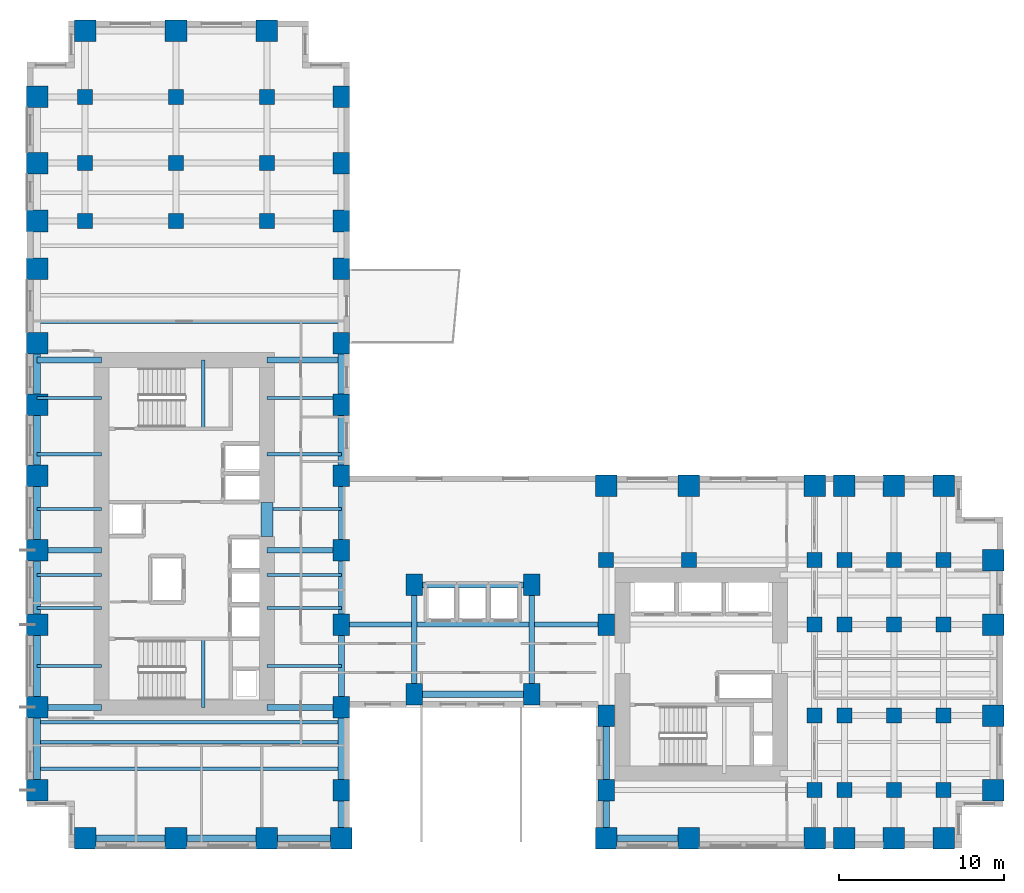
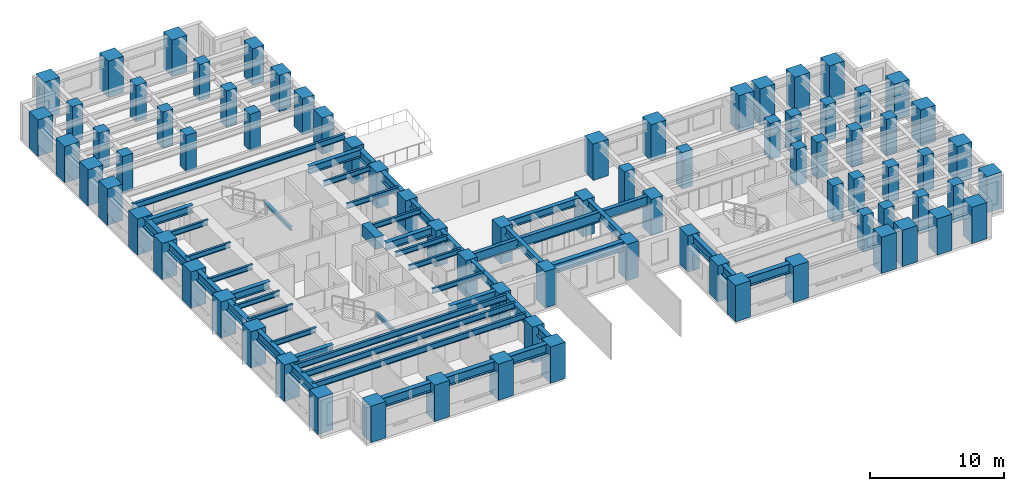
# One storey, part 1 of 11: 79 columns, 49 beams.
"""IFC4 building model written with IfcOpenShell, lengths in metres."""

from ifc_helpers import new_model, si_unit, direction, frame, origin, origin_2d, place, context, subcontext, project, spatial, rectangle, i_section, extrude, source, transform, mapped, material, material_profile, profile_set, type_object, element, save


model = new_model("IFC4")

# Units and contexts
model_context = context("Model", 3, precision=1e-05, world=origin(), true_north=direction((0.0, 1.0)))
body_context = subcontext(model_context, "Body", "Model", "MODEL_VIEW")
ifc_project = project(units=[si_unit("LENGTHUNIT", "METRE"), si_unit("AREAUNIT", "SQUARE_METRE"), si_unit("VOLUMEUNIT", "CUBIC_METRE"), si_unit("PLANEANGLEUNIT", "RADIAN"), si_unit("MASSUNIT", "GRAM", prefix="KILO")], contexts=[model_context])

# Site, building, storey
site_placement = place(None, origin())
site = spatial("IfcSite", under=ifc_project, at=site_placement, CompositionType="ELEMENT")
building_placement = place(site_placement, origin())
building = spatial("IfcBuilding", under=site, at=building_placement, Name="Kharzan Plaza Tower", CompositionType="ELEMENT")
storey_placement = place(building_placement, frame((0.0, 0.0, 69.300048828125)))
storey = spatial("IfcBuildingStorey", under=building, at=storey_placement, Name="L18", CompositionType="ELEMENT", Elevation=69.300048828125)

# Columns
ifc_material_1 = material(Name="Concrete C50/60", Category="concrete")
ifc_material_profile_1 = material_profile(ifc_material_1, rectangle(XDim=0.89990234375, YDim=0.89990234375, at=origin_2d()), Name="RC-IC900x900")
ifc_profile_set_1 = profile_set([ifc_material_profile_1], Name="Concrete C50/60")
column_type_1 = type_object("IfcColumnType", Name="COL-IC900", PredefinedType="COLUMN", material=ifc_profile_set_1)
shared_shape_1 = source(origin(), body_context, "Body", "SweptSolid", [
    extrude(rectangle(XDim=0.89990234375, YDim=0.89990234375, at=origin_2d()), origin(), (0.0, 0.0, 1.0), 3.320068359375),
])
for number, where, z_axis, x_axis, name in (
    (1, (47.60009765625, 13.5, 0.0), (0.0, 0.0, 1.0), (1.0, 0.0, 0.0), "L18 Structural Column TCBI-135"),
    (2, (47.60009765625, 3.5, 0.0), (0.0, 0.0, 1.0), (1.0, 0.0, 0.0), "L18 Structural Column TCBI-35"),
    (3, (47.60009765625, 8.0, 0.0), (0.0, 0.0, 1.0), (1.0, 0.0, 0.0), "L18 Structural Column TCBI-80"),
    (4, (35.0, 17.39990234375, 0.0), (0.0, 0.0, 1.0), (1.0, 0.0, 0.0), "L18 Structural Column TCBN-350-174"),
    (5, (40.0, 17.39990234375, 0.0), (0.0, 0.0, 1.0), (1.0, 0.0, 0.0), "L18 Structural Column TCBN-400-174"),
    (6, (47.60009765625, 17.39990234375, 0.0), (0.0, 0.0, 1.0), (1.0, 0.0, 0.0), "L18 Structural Column TCBN-476-174"),
    (7, (49.39990234375, 13.5, 0.0), (0.0, 0.0, 1.0), (1.0, 0.0, 0.0), "L18 Structural Column TCE-494-135"),
    (8, (49.39990234375, 17.39990234375, 0.0), (0.0, 0.0, 1.0), (1.0, 0.0, 0.0), "L18 Structural Column TCE-494-174"),
    (9, (49.39990234375, 3.5, 0.0), (0.0, 0.0, 1.0), (1.0, 0.0, 0.0), "L18 Structural Column TCE-494-35"),
    (10, (49.39990234375, 8.0, 0.0), (0.0, 0.0, 1.0), (1.0, 0.0, 0.0), "L18 Structural Column TCE-494-80"),
    (11, (52.39990234375, 13.5, 0.0), (0.0, 0.0, 1.0), (1.0, 0.0, 0.0), "L18 Structural Column TCE-524-135"),
    (12, (52.39990234375, 17.39990234375, 0.0), (0.0, 0.0, 1.0), (1.0, 0.0, 0.0), "L18 Structural Column TCE-524-174"),
    (13, (52.39990234375, 3.5, 0.0), (0.0, 0.0, 1.0), (1.0, 0.0, 0.0), "L18 Structural Column TCE-524-35"),
    (14, (52.39990234375, 8.0, 0.0), (0.0, 0.0, 1.0), (1.0, 0.0, 0.0), "L18 Structural Column TCE-524-80"),
    (15, (55.39990234375, 13.5, 0.0), (0.0, 0.0, 1.0), (1.0, 0.0, 0.0), "L18 Structural Column TCE-554-135"),
    (16, (55.39990234375, 17.39990234375, 0.0), (0.0, 0.0, 1.0), (1.0, 0.0, 0.0), "L18 Structural Column TCE-554-174"),
    (17, (55.39990234375, 3.5, 0.0), (0.0, 0.0, 1.0), (1.0, 0.0, 0.0), "L18 Structural Column TCE-554-35"),
    (18, (55.39990234375, 8.0, 0.0), (0.0, 0.0, 1.0), (1.0, 0.0, 0.0), "L18 Structural Column TCE-554-80"),
    (19, (14.5, 37.89990234375, 0.0), (0.0, 0.0, 1.0), (1.0, 0.0, 0.0), "L18 Structural Column TCN-145-379"),
    (20, (14.5, 41.39990234375, 0.0), (0.0, 0.0, 1.0), (1.0, 0.0, 0.0), "L18 Structural Column TCN-145-414"),
    (21, (14.5, 45.39990234375, 0.0), (0.0, 0.0, 1.0), (1.0, 0.0, 0.0), "L18 Structural Column TCN-145-454"),
    (22, (3.5, 37.89990234375, 0.0), (0.0, 0.0, 1.0), (1.0, 0.0, 0.0), "L18 Structural Column TCN-35-379"),
    (23, (3.5, 41.39990234375, 0.0), (0.0, 0.0, 1.0), (1.0, 0.0, 0.0), "L18 Structural Column TCN-35-414"),
    (24, (3.5, 45.39990234375, 0.0), (0.0, 0.0, 1.0), (1.0, 0.0, 0.0), "L18 Structural Column TCN-35-454"),
    (25, (9.0, 37.89990234375, 0.0), (0.0, 0.0, 1.0), (1.0, 0.0, 0.0), "L18 Structural Column TCN-90-379"),
    (26, (9.0, 41.39990234375, 0.0), (0.0, 0.0, 1.0), (1.0, 0.0, 0.0), "L18 Structural Column TCN-90-414"),
    (27, (9.0, 45.39990234375, 0.0), (0.0, 0.0, 1.0), (1.0, 0.0, 0.0), "L18 Structural Column TCN-90-454"),
):
    element("IfcColumn", number, at=place(storey_placement, frame(where, z_axis=z_axis, x_axis=x_axis)), inside=storey, type_object=column_type_1, Name=name, PredefinedType="COLUMN", context=body_context, shape_type="MappedRepresentation", body=[
        mapped(shared_shape_1, transform((0.0, 0.0, 0.0), x_axis=(1.0, 0.0, 0.0), y_axis=(0.0, 1.0, 0.0), z_axis=(0.0, 0.0, 1.0))),
    ])
ifc_material_2 = material(Name="Concrete C60/75", Category="concrete")
ifc_material_profile_2 = material_profile(ifc_material_2, rectangle(XDim=1.0, YDim=1.300048828125, at=origin_2d()), Name="RC-SC1300x1000")
ifc_profile_set_2 = profile_set([ifc_material_profile_2], Name="Concrete C60/75")
column_type_2 = type_object("IfcColumnType", Name="COL-SC1300", PredefinedType="COLUMN", material=ifc_profile_set_2)
shared_shape_2 = source(origin(), body_context, "Body", "SweptSolid", [
    extrude(rectangle(XDim=1.0, YDim=1.300048828125, at=origin_2d()), origin(), (0.0, 0.0, 1.0), 3.320068359375),
])
for number, where, z_axis, x_axis, name in (
    (28, (19.0, 13.5, 0.0), (0.0, 0.0, 1.0), (1.0, 0.0, 0.0), "L18 Structural Column TCA-135"),
    (29, (19.0, 18.0, 0.0), (0.0, 0.0, 1.0), (1.0, 0.0, 0.0), "L18 Structural Column TCA-180"),
    (30, (19.0, 22.5, 0.0), (0.0, 0.0, 1.0), (1.0, 0.0, 0.0), "L18 Structural Column TCA-225"),
    (31, (19.0, 26.800048828125, 0.0), (0.0, 0.0, 1.0), (1.0, 0.0, 0.0), "L18 Structural Column TCA-268"),
    (32, (19.0, 30.5, 0.0), (0.0, 0.0, 1.0), (1.0, 0.0, 0.0), "L18 Structural Column TCA-305"),
    (33, (19.0, 3.5, 0.0), (0.0, 0.0, 1.0), (1.0, 0.0, 0.0), "L18 Structural Column TCA-35"),
    (34, (19.0, 35.0, 0.0), (0.0, 0.0, 1.0), (1.0, 0.0, 0.0), "L18 Structural Column TCA-350"),
    (35, (19.0, 37.89990234375, 0.0), (0.0, 0.0, 1.0), (1.0, 0.0, 0.0), "L18 Structural Column TCA-379"),
    (36, (19.0, 41.39990234375, 0.0), (0.0, 0.0, 1.0), (1.0, 0.0, 0.0), "L18 Structural Column TCA-414"),
    (37, (19.0, 45.39990234375, 0.0), (0.0, 0.0, 1.0), (1.0, 0.0, 0.0), "L18 Structural Column TCA-454"),
    (38, (19.0, 8.5, 0.0), (0.0, 0.0, 1.0), (1.0, 0.0, 0.0), "L18 Structural Column TCA-85"),
    (39, (35.0, 13.5, 0.0), (0.0, 0.0, 1.0), (1.0, 0.0, 0.0), "L18 Structural Column TCBS-135"),
    (40, (35.0, 3.5, 0.0), (0.0, 0.0, 1.0), (1.0, 0.0, 0.0), "L18 Structural Column TCBS-35"),
    (41, (35.0, 8.0, 0.0), (0.0, 0.0, 1.0), (1.0, 0.0, 0.0), "L18 Structural Column TCBS-80"),
    (42, (23.39990234375, 15.89990234375, 0.0), (0.0, 0.0, 1.0), (1.0, 0.0, 0.0), "L18 Structural Column TCSP-234-159"),
    (43, (23.39990234375, 9.300048828125, 0.0), (0.0, 0.0, 1.0), (1.0, 0.0, 0.0), "L18 Structural Column TCSP-234-93"),
    (44, (30.5, 15.89990234375, 0.0), (0.0, 0.0, 1.0), (1.0, 0.0, 0.0), "L18 Structural Column TCSP-305-159"),
    (45, (30.5, 9.300048828125, 0.0), (0.0, 0.0, 1.0), (1.0, 0.0, 0.0), "L18 Structural Column TCSP-305-93"),
):
    element("IfcColumn", number, at=place(storey_placement, frame(where, z_axis=z_axis, x_axis=x_axis)), inside=storey, type_object=column_type_2, Name=name, PredefinedType="COLUMN", context=body_context, shape_type="MappedRepresentation", body=[
        mapped(shared_shape_2, transform((0.0, 0.0, 0.0), x_axis=(1.0, 0.0, 0.0), y_axis=(0.0, 1.0, 0.0), z_axis=(0.0, 0.0, 1.0))),
    ])
ifc_material_profile_3 = material_profile(ifc_material_2, rectangle(XDim=1.300048828125, YDim=1.300048828125, at=origin_2d()), Name="RC-TC1300x1300")
ifc_profile_set_3 = profile_set([ifc_material_profile_3], Name="Concrete C60/75")
column_type_3 = type_object("IfcColumnType", Name="COL-TC1300", PredefinedType="COLUMN", material=ifc_profile_set_3)
shared_shape_3 = source(origin(), body_context, "Body", "SweptSolid", [
    extrude(rectangle(XDim=1.300048828125, YDim=1.300048828125, at=origin_2d()), origin(), (0.0, 0.0, 1.0), 3.320068359375),
])
for number, where, z_axis, x_axis, name in (
    (46, (35.0, 21.89990234375, 0.0), (0.0, 0.0, 1.0), (1.0, 0.0, 0.0), "L18 Structural Column TCBN-350-219"),
    (47, (40.0, 21.89990234375, 0.0), (0.0, 0.0, 1.0), (1.0, 0.0, 0.0), "L18 Structural Column TCBN-400-219"),
    (48, (47.60009765625, 21.89990234375, 0.0), (0.0, 0.0, 1.0), (1.0, 0.0, 0.0), "L18 Structural Column TCBN-476-219"),
    (49, (49.39990234375, 21.89990234375, 0.0), (0.0, 0.0, 1.0), (1.0, 0.0, 0.0), "L18 Structural Column TCBN-494-219"),
    (50, (52.39990234375, 21.89990234375, 0.0), (0.0, 0.0, 1.0), (1.0, 0.0, 0.0), "L18 Structural Column TCBN-524-219"),
    (51, (55.39990234375, 21.89990234375, 0.0), (0.0, 0.0, 1.0), (1.0, 0.0, 0.0), "L18 Structural Column TCBN-554-219"),
    (52, (58.39990234375, 13.5, 0.0), (0.0, 0.0, 1.0), (1.0, 0.0, 0.0), "L18 Structural Column TCE-584-135"),
    (53, (58.39990234375, 17.39990234375, 0.0), (0.0, 0.0, 1.0), (1.0, 0.0, 0.0), "L18 Structural Column TCE-584-174"),
    (54, (58.39990234375, 3.5, 0.0), (0.0, 0.0, 1.0), (1.0, 0.0, 0.0), "L18 Structural Column TCE-584-35"),
    (55, (58.39990234375, 8.0, 0.0), (0.0, 0.0, 1.0), (1.0, 0.0, 0.0), "L18 Structural Column TCE-584-80"),
    (56, (14.5, 49.39990234375, 0.0), (0.0, 0.0, 1.0), (1.0, 0.0, 0.0), "L18 Structural Column TCN-145-494"),
    (57, (3.5, 49.39990234375, 0.0), (0.0, 0.0, 1.0), (1.0, 0.0, 0.0), "L18 Structural Column TCN-35-494"),
    (58, (9.0, 49.39990234375, 0.0), (0.0, 0.0, 1.0), (1.0, 0.0, 0.0), "L18 Structural Column TCN-90-494"),
    (59, (14.5, 0.60009765625, 0.0), (0.0, 0.0, 1.0), (1.0, 0.0, 0.0), "L18 Structural Column TCS-145"),
    (60, (19.0, 0.60009765625, 0.0), (0.0, 0.0, 1.0), (1.0, 0.0, 0.0), "L18 Structural Column TCS-190"),
    (61, (3.5, 0.60009765625, 0.0), (0.0, 0.0, 1.0), (1.0, 0.0, 0.0), "L18 Structural Column TCS-35"),
    (62, (35.0, 0.60009765625, 0.0), (0.0, 0.0, 1.0), (1.0, 0.0, 0.0), "L18 Structural Column TCS-350"),
    (63, (40.0, 0.60009765625, 0.0), (0.0, 0.0, 1.0), (1.0, 0.0, 0.0), "L18 Structural Column TCS-400"),
    (64, (47.60009765625, 0.60009765625, 0.0), (0.0, 0.0, 1.0), (1.0, 0.0, 0.0), "L18 Structural Column TCS-476"),
    (65, (49.39990234375, 0.60009765625, 0.0), (0.0, 0.0, 1.0), (1.0, 0.0, 0.0), "L18 Structural Column TCS-494"),
    (66, (52.39990234375, 0.60009765625, 0.0), (0.0, 0.0, 1.0), (1.0, 0.0, 0.0), "L18 Structural Column TCS-524"),
    (67, (55.39990234375, 0.60009765625, 0.0), (0.0, 0.0, 1.0), (1.0, 0.0, 0.0), "L18 Structural Column TCS-554"),
    (68, (9.0, 0.60009765625, 0.0), (0.0, 0.0, 1.0), (1.0, 0.0, 0.0), "L18 Structural Column TCS-90"),
    (69, (0.60009765625, 13.5, 0.0), (0.0, 0.0, 1.0), (1.0, 0.0, 0.0), "L18 Structural Column TCW-135"),
    (70, (0.60009765625, 18.0, 0.0), (0.0, 0.0, 1.0), (1.0, 0.0, 0.0), "L18 Structural Column TCW-180"),
    (71, (0.60009765625, 22.5, 0.0), (0.0, 0.0, 1.0), (1.0, 0.0, 0.0), "L18 Structural Column TCW-225"),
    (72, (0.60009765625, 26.800048828125, 0.0), (0.0, 0.0, 1.0), (1.0, 0.0, 0.0), "L18 Structural Column TCW-268"),
    (73, (0.60009765625, 30.5, 0.0), (0.0, 0.0, 1.0), (1.0, 0.0, 0.0), "L18 Structural Column TCW-305"),
    (74, (0.60009765625, 3.5, 0.0), (0.0, 0.0, 1.0), (1.0, 0.0, 0.0), "L18 Structural Column TCW-35"),
    (75, (0.60009765625, 35.0, 0.0), (0.0, 0.0, 1.0), (1.0, 0.0, 0.0), "L18 Structural Column TCW-350"),
    (76, (0.60009765625, 37.89990234375, 0.0), (0.0, 0.0, 1.0), (1.0, 0.0, 0.0), "L18 Structural Column TCW-379"),
    (77, (0.60009765625, 41.39990234375, 0.0), (0.0, 0.0, 1.0), (1.0, 0.0, 0.0), "L18 Structural Column TCW-414"),
    (78, (0.60009765625, 45.39990234375, 0.0), (0.0, 0.0, 1.0), (1.0, 0.0, 0.0), "L18 Structural Column TCW-454"),
    (79, (0.60009765625, 8.5, 0.0), (0.0, 0.0, 1.0), (1.0, 0.0, 0.0), "L18 Structural Column TCW-85"),
):
    element("IfcColumn", number, at=place(storey_placement, frame(where, z_axis=z_axis, x_axis=x_axis)), inside=storey, type_object=column_type_3, Name=name, PredefinedType="COLUMN", context=body_context, shape_type="MappedRepresentation", body=[
        mapped(shared_shape_3, transform((0.0, 0.0, 0.0), x_axis=(1.0, 0.0, 0.0), y_axis=(0.0, 1.0, 0.0), z_axis=(0.0, 0.0, 1.0))),
    ])

# Beams
ifc_material_profile_4 = material_profile(ifc_material_2, rectangle(XDim=0.699951171875, YDim=1.10009765625, at=origin_2d()), Name="RC-CB1100x700")
ifc_profile_set_4 = profile_set([ifc_material_profile_4], Name="Concrete C60/75")
beam_type_1 = type_object("IfcBeamType", Name="BM-RCCB1100", PredefinedType="LINTEL", material=ifc_profile_set_4)
shared_shape_4 = source(origin(), body_context, "Body", "SweptSolid", [
    extrude(rectangle(XDim=0.699951171875, YDim=1.10009765625, at=origin_2d()), origin(), (0.0, 0.0, 1.0), 2.059814453125),
])
beam_1_placement = place(storey_placement, frame((14.5, 18.820068359375, 2.77001953125), z_axis=(0.0, 1.0, 0.0), x_axis=(-1.0, 0.0, 0.0)))
element("IfcBeam", 80, at=beam_1_placement, inside=storey, type_object=beam_type_1, Name="L18 CORE-A RC coupling beam CB1", PredefinedType="LINTEL", context=body_context, shape_type="MappedRepresentation", body=[
    mapped(shared_shape_4, transform((0.0, 0.0, 0.0), x_axis=(1.0, 0.0, 0.0), y_axis=(0.0, 1.0, 0.0), z_axis=(0.0, 0.0, 1.0))),
])
ifc_material_3 = material(Name="Steel S355", Category="steel")
ifc_material_profile_5 = material_profile(ifc_material_3, i_section(OverallWidth=0.205078125, OverallDepth=0.35400390625, WebThickness=0.009521484375, FlangeThickness=0.016845703125, at=origin_2d()), Name="W360x79")
ifc_profile_set_5 = profile_set([ifc_material_profile_5], Name="Steel S355")
beam_type_2 = type_object("IfcBeamType", Name="BM-LNT360", PredefinedType="LINTEL", material=ifc_profile_set_5)
shared_shape_5 = source(origin(), body_context, "Body", "SweptSolid", [
    extrude(i_section(OverallWidth=0.205078125, OverallDepth=0.35400390625, WebThickness=0.009521484375, FlangeThickness=0.016845703125, at=origin_2d()), origin(), (0.0, 0.0, 1.0), 4.155029296875),
])
for number, where, z_axis, x_axis, name in (
    (81, (10.64990234375, 8.5, 1.4228515625), (0.0, 1.0, 0.0), (-1.0, 0.0, 0.0), "L18 Stair ST-1 Half-Landing Beam"),
    (82, (10.64990234375, 25.344970703125, 1.4228515625), (0.0, 1.0, 0.0), (-1.0, 0.0, 0.0), "L18 Stair ST-2 Half-Landing Beam"),
):
    element("IfcBeam", number, at=place(storey_placement, frame(where, z_axis=z_axis, x_axis=x_axis)), inside=storey, type_object=beam_type_2, Name=name, PredefinedType="LINTEL", context=body_context, shape_type="MappedRepresentation", body=[
        mapped(shared_shape_5, transform((0.0, 0.0, 0.0), x_axis=(1.0, 0.0, 0.0), y_axis=(0.0, 1.0, 0.0), z_axis=(0.0, 0.0, 1.0))),
    ])
ifc_material_profile_6 = material_profile(ifc_material_3, i_section(OverallWidth=0.304931640625, OverallDepth=0.9189453125, WebThickness=0.017333984375, FlangeThickness=0.02783203125, at=origin_2d()), Name="W920x253")
ifc_profile_set_6 = profile_set([ifc_material_profile_6], Name="Steel S355")
beam_type_3 = type_object("IfcBeamType", Name="BM-FG920B", PredefinedType="BEAM", material=ifc_profile_set_6)
shared_shape_6 = source(origin(), body_context, "Body", "SweptSolid", [
    extrude(i_section(OverallWidth=0.304931640625, OverallDepth=0.9189453125, WebThickness=0.017333984375, FlangeThickness=0.02783203125, at=origin_2d()), origin(), (0.0, 0.0, 1.0), 16.0),
])
beam_2_placement = place(storey_placement, frame((19.0, 13.5, 2.8603515625), z_axis=(1.0, 0.0, 0.0), x_axis=(0.0, 1.0, 0.0)))
element("IfcBeam", 83, at=beam_2_placement, inside=storey, type_object=beam_type_3, Name="L18 Primary Floor Girder", PredefinedType="BEAM", context=body_context, shape_type="MappedRepresentation", body=[
    mapped(shared_shape_6, transform((0.0, 0.0, 0.0), x_axis=(1.0, 0.0, 0.0), y_axis=(0.0, 1.0, 0.0), z_axis=(0.0, 0.0, 1.0))),
])
ifc_material_profile_7 = material_profile(ifc_material_3, i_section(OverallWidth=0.35498046875, OverallDepth=0.695068359375, WebThickness=0.015380859375, FlangeThickness=0.02490234375, at=origin_2d()), Name="W690x217")
ifc_profile_set_7 = profile_set([ifc_material_profile_7], Name="Steel S355")
beam_type_4 = type_object("IfcBeamType", Name="BM-FG690A", PredefinedType="BEAM", material=ifc_profile_set_7)
shared_shape_7 = source(origin(), body_context, "Body", "SweptSolid", [
    extrude(i_section(OverallWidth=0.35498046875, OverallDepth=0.695068359375, WebThickness=0.015380859375, FlangeThickness=0.02490234375, at=origin_2d()), origin(), (0.0, 0.0, 1.0), 4.5),
])
for number, where, z_axis, x_axis, name in (
    (84, (14.5, 8.5, 2.972412109375), (1.0, 0.0, 0.0), (0.0, 1.0, 0.0), "L18 Core-A East Floor Girder 1"),
    (85, (14.5, 18.0, 2.972412109375), (1.0, 0.0, 0.0), (0.0, 1.0, 0.0), "L18 Core-A East Floor Girder 2"),
    (86, (14.5, 29.5, 2.972412109375), (1.0, 0.0, 0.0), (0.0, 1.0, 0.0), "L18 Core-A East Floor Girder 3"),
    (87, (19.0, 13.5, 2.972412109375), (0.0, 1.0, 0.0), (-1.0, 0.0, 0.0), "L18 Interior Frame Girder"),
    (88, (19.0, 18.0, 2.972412109375), (0.0, 1.0, 0.0), (-1.0, 0.0, 0.0), "L18 Interior Frame Girder"),
):
    element("IfcBeam", number, at=place(storey_placement, frame(where, z_axis=z_axis, x_axis=x_axis)), inside=storey, type_object=beam_type_4, Name=name, PredefinedType="BEAM", context=body_context, shape_type="MappedRepresentation", body=[
        mapped(shared_shape_7, transform((0.0, 0.0, 0.0), x_axis=(1.0, 0.0, 0.0), y_axis=(0.0, 1.0, 0.0), z_axis=(0.0, 0.0, 1.0))),
    ])
shared_shape_8 = source(origin(), body_context, "Body", "SweptSolid", [
    extrude(i_section(OverallWidth=0.35498046875, OverallDepth=0.695068359375, WebThickness=0.015380859375, FlangeThickness=0.02490234375, at=origin_2d()), origin(), (0.0, 0.0, 1.0), 3.89990234375),
])
for number, where, z_axis, x_axis, name in (
    (89, (0.60009765625, 8.5, 2.972412109375), (1.0, 0.0, 0.0), (0.0, 1.0, 0.0), "L18 Core-A West Floor Girder 1"),
    (90, (0.60009765625, 18.0, 2.972412109375), (1.0, 0.0, 0.0), (0.0, 1.0, 0.0), "L18 Core-A West Floor Girder 2"),
    (91, (0.60009765625, 29.5, 2.972412109375), (1.0, 0.0, 0.0), (0.0, 1.0, 0.0), "L18 Core-A West Floor Girder 3"),
):
    element("IfcBeam", number, at=place(storey_placement, frame(where, z_axis=z_axis, x_axis=x_axis)), inside=storey, type_object=beam_type_4, Name=name, PredefinedType="BEAM", context=body_context, shape_type="MappedRepresentation", body=[
        mapped(shared_shape_8, transform((0.0, 0.0, 0.0), x_axis=(1.0, 0.0, 0.0), y_axis=(0.0, 1.0, 0.0), z_axis=(0.0, 0.0, 1.0))),
    ])
shared_shape_9 = source(origin(), body_context, "Body", "SweptSolid", [
    extrude(i_section(OverallWidth=0.35498046875, OverallDepth=0.695068359375, WebThickness=0.015380859375, FlangeThickness=0.02490234375, at=origin_2d()), origin(), (0.0, 0.0, 1.0), 5.0),
])
beam_3_placement = place(storey_placement, frame((19.0, 8.5, 2.972412109375), z_axis=(0.0, 1.0, 0.0), x_axis=(-1.0, 0.0, 0.0)))
element("IfcBeam", 92, at=beam_3_placement, inside=storey, type_object=beam_type_4, Name="L18 Interior Frame Girder", PredefinedType="BEAM", context=body_context, shape_type="MappedRepresentation", body=[
    mapped(shared_shape_9, transform((0.0, 0.0, 0.0), x_axis=(1.0, 0.0, 0.0), y_axis=(0.0, 1.0, 0.0), z_axis=(0.0, 0.0, 1.0))),
])
shared_shape_10 = source(origin(), body_context, "Body", "SweptSolid", [
    extrude(i_section(OverallWidth=0.35498046875, OverallDepth=0.695068359375, WebThickness=0.015380859375, FlangeThickness=0.02490234375, at=origin_2d()), origin(), (0.0, 0.0, 1.0), 6.599853515625),
])
for number, where, z_axis, x_axis, name in (
    (93, (23.39990234375, 9.300048828125, 2.972412109375), (0.0, 1.0, 0.0), (-1.0, 0.0, 0.0), "L18 Interior Frame Girder"),
    (94, (30.5, 9.300048828125, 2.972412109375), (0.0, 1.0, 0.0), (-1.0, 0.0, 0.0), "L18 Interior Frame Girder"),
):
    element("IfcBeam", number, at=place(storey_placement, frame(where, z_axis=z_axis, x_axis=x_axis)), inside=storey, type_object=beam_type_4, Name=name, PredefinedType="BEAM", context=body_context, shape_type="MappedRepresentation", body=[
        mapped(shared_shape_10, transform((0.0, 0.0, 0.0), x_axis=(1.0, 0.0, 0.0), y_axis=(0.0, 1.0, 0.0), z_axis=(0.0, 0.0, 1.0))),
    ])
shared_shape_11 = source(origin(), body_context, "Body", "SweptSolid", [
    extrude(i_section(OverallWidth=0.35498046875, OverallDepth=0.695068359375, WebThickness=0.015380859375, FlangeThickness=0.02490234375, at=origin_2d()), origin(), (0.0, 0.0, 1.0), 7.10009765625),
])
beam_4_placement = place(storey_placement, frame((23.39990234375, 15.89990234375, 2.972412109375), z_axis=(1.0, 0.0, 0.0), x_axis=(0.0, 1.0, 0.0)))
element("IfcBeam", 95, at=beam_4_placement, inside=storey, type_object=beam_type_4, Name="L18 Primary Floor Girder", PredefinedType="BEAM", context=body_context, shape_type="MappedRepresentation", body=[
    mapped(shared_shape_11, transform((0.0, 0.0, 0.0), x_axis=(1.0, 0.0, 0.0), y_axis=(0.0, 1.0, 0.0), z_axis=(0.0, 0.0, 1.0))),
])
ifc_material_profile_8 = material_profile(ifc_material_3, i_section(OverallWidth=0.2099609375, OverallDepth=0.537109375, WebThickness=0.010986328125, FlangeThickness=0.017333984375, at=origin_2d()), Name="W530x101")
ifc_profile_set_8 = profile_set([ifc_material_profile_8], Name="Steel S355")
beam_type_5 = type_object("IfcBeamType", Name="BM-JST530B", PredefinedType="JOIST", material=ifc_profile_set_8)
shared_shape_12 = source(origin(), body_context, "Body", "SweptSolid", [
    extrude(i_section(OverallWidth=0.2099609375, OverallDepth=0.537109375, WebThickness=0.010986328125, FlangeThickness=0.017333984375, at=origin_2d()), origin(), (0.0, 0.0, 1.0), 18.39990234375),
])
for number, where, z_axis, x_axis, name in (
    (96, (0.60009765625, 4.800048828125, 3.051513671875), (1.0, 0.0, 0.0), (0.0, 1.0, 0.0), "L18 Wing A Composite Joist 01"),
    (97, (0.60009765625, 6.39990234375, 3.051513671875), (1.0, 0.0, 0.0), (0.0, 1.0, 0.0), "L18 Wing A Composite Joist 02"),
    (98, (0.60009765625, 7.60009765625, 3.051513671875), (1.0, 0.0, 0.0), (0.0, 1.0, 0.0), "L18 Wing A Composite Joist 03"),
    (99, (0.60009765625, 31.800048828125, 3.051513671875), (1.0, 0.0, 0.0), (0.0, 1.0, 0.0), "L18 Wing A Composite Joist 04"),
):
    element("IfcBeam", number, at=place(storey_placement, frame(where, z_axis=z_axis, x_axis=x_axis)), inside=storey, type_object=beam_type_5, Name=name, PredefinedType="JOIST", context=body_context, shape_type="MappedRepresentation", body=[
        mapped(shared_shape_12, transform((0.0, 0.0, 0.0), x_axis=(1.0, 0.0, 0.0), y_axis=(0.0, 1.0, 0.0), z_axis=(0.0, 0.0, 1.0))),
    ])
ifc_material_profile_9 = material_profile(ifc_material_3, i_section(OverallWidth=0.194091796875, OverallDepth=0.468994140625, WebThickness=0.011474609375, FlangeThickness=0.0205078125, at=origin_2d()), Name="W460x106")
ifc_profile_set_9 = profile_set([ifc_material_profile_9], Name="Steel S355")
beam_type_6 = type_object("IfcBeamType", Name="BM-JST460", PredefinedType="JOIST", material=ifc_profile_set_9)
shared_shape_13 = source(origin(), body_context, "Body", "SweptSolid", [
    extrude(i_section(OverallWidth=0.194091796875, OverallDepth=0.468994140625, WebThickness=0.011474609375, FlangeThickness=0.0205078125, at=origin_2d()), origin(), (0.0, 0.0, 1.0), 4.5),
])
for number, where, z_axis, x_axis, name in (
    (100, (14.5, 11.0, 3.08544921875), (1.0, 0.0, 0.0), (0.0, 1.0, 0.0), "L18 Wing A East Infill Joist 1"),
    (101, (14.5, 14.5, 3.08544921875), (1.0, 0.0, 0.0), (0.0, 1.0, 0.0), "L18 Wing A East Infill Joist 2"),
    (102, (14.5, 16.5, 3.08544921875), (1.0, 0.0, 0.0), (0.0, 1.0, 0.0), "L18 Wing A East Infill Joist 3"),
    (103, (14.5, 20.5, 3.08544921875), (1.0, 0.0, 0.0), (0.0, 1.0, 0.0), "L18 Wing A East Infill Joist 4"),
    (104, (14.5, 23.800048828125, 3.08544921875), (1.0, 0.0, 0.0), (0.0, 1.0, 0.0), "L18 Wing A East Infill Joist 5"),
    (105, (14.5, 27.199951171875, 3.08544921875), (1.0, 0.0, 0.0), (0.0, 1.0, 0.0), "L18 Wing A East Infill Joist 6"),
):
    element("IfcBeam", number, at=place(storey_placement, frame(where, z_axis=z_axis, x_axis=x_axis)), inside=storey, type_object=beam_type_6, Name=name, PredefinedType="JOIST", context=body_context, shape_type="MappedRepresentation", body=[
        mapped(shared_shape_13, transform((0.0, 0.0, 0.0), x_axis=(1.0, 0.0, 0.0), y_axis=(0.0, 1.0, 0.0), z_axis=(0.0, 0.0, 1.0))),
    ])
shared_shape_14 = source(origin(), body_context, "Body", "SweptSolid", [
    extrude(i_section(OverallWidth=0.194091796875, OverallDepth=0.468994140625, WebThickness=0.011474609375, FlangeThickness=0.0205078125, at=origin_2d()), origin(), (0.0, 0.0, 1.0), 3.89990234375),
])
for number, where, z_axis, x_axis, name in (
    (106, (0.60009765625, 11.0, 3.08544921875), (1.0, 0.0, 0.0), (0.0, 1.0, 0.0), "L18 Wing A West Infill Joist 1"),
    (107, (0.60009765625, 14.5, 3.08544921875), (1.0, 0.0, 0.0), (0.0, 1.0, 0.0), "L18 Wing A West Infill Joist 2"),
    (108, (0.60009765625, 16.5, 3.08544921875), (1.0, 0.0, 0.0), (0.0, 1.0, 0.0), "L18 Wing A West Infill Joist 3"),
    (109, (0.60009765625, 20.5, 3.08544921875), (1.0, 0.0, 0.0), (0.0, 1.0, 0.0), "L18 Wing A West Infill Joist 4"),
    (110, (0.60009765625, 23.800048828125, 3.08544921875), (1.0, 0.0, 0.0), (0.0, 1.0, 0.0), "L18 Wing A West Infill Joist 5"),
    (111, (0.60009765625, 27.199951171875, 3.08544921875), (1.0, 0.0, 0.0), (0.0, 1.0, 0.0), "L18 Wing A West Infill Joist 6"),
):
    element("IfcBeam", number, at=place(storey_placement, frame(where, z_axis=z_axis, x_axis=x_axis)), inside=storey, type_object=beam_type_6, Name=name, PredefinedType="JOIST", context=body_context, shape_type="MappedRepresentation", body=[
        mapped(shared_shape_14, transform((0.0, 0.0, 0.0), x_axis=(1.0, 0.0, 0.0), y_axis=(0.0, 1.0, 0.0), z_axis=(0.0, 0.0, 1.0))),
    ])
ifc_material_profile_10 = material_profile(ifc_material_3, i_section(OverallWidth=0.40087890625, OverallDepth=0.85498046875, WebThickness=0.018310546875, FlangeThickness=0.029296875, at=origin_2d()), Name="W840x299")
ifc_profile_set_10 = profile_set([ifc_material_profile_10], Name="Steel S355")
beam_type_7 = type_object("IfcBeamType", Name="BM-SP840A", PredefinedType="SPANDREL", material=ifc_profile_set_10)
shared_shape_15 = source(origin(), body_context, "Body", "SweptSolid", [
    extrude(i_section(OverallWidth=0.40087890625, OverallDepth=0.85498046875, WebThickness=0.018310546875, FlangeThickness=0.029296875, at=origin_2d()), origin(), (0.0, 0.0, 1.0), 5.0),
])
for number, where, z_axis, x_axis, name in (
    (112, (0.60009765625, 3.5, 2.892333984375), (0.0, 1.0, 0.0), (-1.0, 0.0, 0.0), "L18 Perimeter Tube Spandrel"),
    (113, (0.60009765625, 8.5, 2.892333984375), (0.0, 1.0, 0.0), (-1.0, 0.0, 0.0), "L18 Perimeter Tube Spandrel"),
    (114, (19.0, 3.5, 2.892333984375), (0.0, 1.0, 0.0), (-1.0, 0.0, 0.0), "L18 Perimeter Tube Spandrel"),
    (115, (35.0, 0.60009765625, 2.892333984375), (1.0, 0.0, 0.0), (0.0, 1.0, 0.0), "L18 Perimeter Tube Spandrel"),
):
    element("IfcBeam", number, at=place(storey_placement, frame(where, z_axis=z_axis, x_axis=x_axis)), inside=storey, type_object=beam_type_7, Name=name, PredefinedType="SPANDREL", context=body_context, shape_type="MappedRepresentation", body=[
        mapped(shared_shape_15, transform((0.0, 0.0, 0.0), x_axis=(1.0, 0.0, 0.0), y_axis=(0.0, 1.0, 0.0), z_axis=(0.0, 0.0, 1.0))),
    ])
shared_shape_16 = source(origin(), body_context, "Body", "SweptSolid", [
    extrude(i_section(OverallWidth=0.40087890625, OverallDepth=0.85498046875, WebThickness=0.018310546875, FlangeThickness=0.029296875, at=origin_2d()), origin(), (0.0, 0.0, 1.0), 4.5),
])
for number, where, z_axis, x_axis, name in (
    (116, (0.60009765625, 13.5, 2.892333984375), (0.0, 1.0, 0.0), (-1.0, 0.0, 0.0), "L18 Perimeter Tube Spandrel"),
    (117, (0.60009765625, 18.0, 2.892333984375), (0.0, 1.0, 0.0), (-1.0, 0.0, 0.0), "L18 Perimeter Tube Spandrel"),
    (118, (35.0, 3.5, 2.892333984375), (0.0, 1.0, 0.0), (-1.0, 0.0, 0.0), "L18 Perimeter Tube Spandrel"),
    (119, (14.5, 0.60009765625, 2.892333984375), (1.0, 0.0, 0.0), (0.0, 1.0, 0.0), "L18 Perimeter Tube Spandrel"),
):
    element("IfcBeam", number, at=place(storey_placement, frame(where, z_axis=z_axis, x_axis=x_axis)), inside=storey, type_object=beam_type_7, Name=name, PredefinedType="SPANDREL", context=body_context, shape_type="MappedRepresentation", body=[
        mapped(shared_shape_16, transform((0.0, 0.0, 0.0), x_axis=(1.0, 0.0, 0.0), y_axis=(0.0, 1.0, 0.0), z_axis=(0.0, 0.0, 1.0))),
    ])
shared_shape_17 = source(origin(), body_context, "Body", "SweptSolid", [
    extrude(i_section(OverallWidth=0.40087890625, OverallDepth=0.85498046875, WebThickness=0.018310546875, FlangeThickness=0.029296875, at=origin_2d()), origin(), (0.0, 0.0, 1.0), 4.300048828125),
])
for number, where, z_axis, x_axis, name in (
    (120, (0.60009765625, 22.5, 2.892333984375), (0.0, 1.0, 0.0), (-1.0, 0.0, 0.0), "L18 Perimeter Tube Spandrel"),
    (121, (19.0, 22.5, 2.892333984375), (0.0, 1.0, 0.0), (-1.0, 0.0, 0.0), "L18 Perimeter Tube Spandrel"),
):
    element("IfcBeam", number, at=place(storey_placement, frame(where, z_axis=z_axis, x_axis=x_axis)), inside=storey, type_object=beam_type_7, Name=name, PredefinedType="SPANDREL", context=body_context, shape_type="MappedRepresentation", body=[
        mapped(shared_shape_17, transform((0.0, 0.0, 0.0), x_axis=(1.0, 0.0, 0.0), y_axis=(0.0, 1.0, 0.0), z_axis=(0.0, 0.0, 1.0))),
    ])
shared_shape_18 = source(origin(), body_context, "Body", "SweptSolid", [
    extrude(i_section(OverallWidth=0.40087890625, OverallDepth=0.85498046875, WebThickness=0.018310546875, FlangeThickness=0.029296875, at=origin_2d()), origin(), (0.0, 0.0, 1.0), 3.699951171875),
])
for number, where, z_axis, x_axis, name in (
    (122, (0.60009765625, 26.800048828125, 2.892333984375), (0.0, 1.0, 0.0), (-1.0, 0.0, 0.0), "L18 Perimeter Tube Spandrel"),
    (123, (19.0, 26.800048828125, 2.892333984375), (0.0, 1.0, 0.0), (-1.0, 0.0, 0.0), "L18 Perimeter Tube Spandrel"),
):
    element("IfcBeam", number, at=place(storey_placement, frame(where, z_axis=z_axis, x_axis=x_axis)), inside=storey, type_object=beam_type_7, Name=name, PredefinedType="SPANDREL", context=body_context, shape_type="MappedRepresentation", body=[
        mapped(shared_shape_18, transform((0.0, 0.0, 0.0), x_axis=(1.0, 0.0, 0.0), y_axis=(0.0, 1.0, 0.0), z_axis=(0.0, 0.0, 1.0))),
    ])
shared_shape_19 = source(origin(), body_context, "Body", "SweptSolid", [
    extrude(i_section(OverallWidth=0.40087890625, OverallDepth=0.85498046875, WebThickness=0.018310546875, FlangeThickness=0.029296875, at=origin_2d()), origin(), (0.0, 0.0, 1.0), 2.89990234375),
])
for number, where, z_axis, x_axis, name in (
    (124, (19.0, 0.60009765625, 2.892333984375), (0.0, 1.0, 0.0), (-1.0, 0.0, 0.0), "L18 Perimeter Tube Spandrel"),
    (125, (35.0, 0.60009765625, 2.892333984375), (0.0, 1.0, 0.0), (-1.0, 0.0, 0.0), "L18 Perimeter Tube Spandrel"),
):
    element("IfcBeam", number, at=place(storey_placement, frame(where, z_axis=z_axis, x_axis=x_axis)), inside=storey, type_object=beam_type_7, Name=name, PredefinedType="SPANDREL", context=body_context, shape_type="MappedRepresentation", body=[
        mapped(shared_shape_19, transform((0.0, 0.0, 0.0), x_axis=(1.0, 0.0, 0.0), y_axis=(0.0, 1.0, 0.0), z_axis=(0.0, 0.0, 1.0))),
    ])
shared_shape_20 = source(origin(), body_context, "Body", "SweptSolid", [
    extrude(i_section(OverallWidth=0.40087890625, OverallDepth=0.85498046875, WebThickness=0.018310546875, FlangeThickness=0.029296875, at=origin_2d()), origin(), (0.0, 0.0, 1.0), 5.5),
])
for number, where, z_axis, x_axis, name in (
    (126, (3.5, 0.60009765625, 2.892333984375), (1.0, 0.0, 0.0), (0.0, 1.0, 0.0), "L18 Perimeter Tube Spandrel"),
    (127, (9.0, 0.60009765625, 2.892333984375), (1.0, 0.0, 0.0), (0.0, 1.0, 0.0), "L18 Perimeter Tube Spandrel"),
):
    element("IfcBeam", number, at=place(storey_placement, frame(where, z_axis=z_axis, x_axis=x_axis)), inside=storey, type_object=beam_type_7, Name=name, PredefinedType="SPANDREL", context=body_context, shape_type="MappedRepresentation", body=[
        mapped(shared_shape_20, transform((0.0, 0.0, 0.0), x_axis=(1.0, 0.0, 0.0), y_axis=(0.0, 1.0, 0.0), z_axis=(0.0, 0.0, 1.0))),
    ])
shared_shape_21 = source(origin(), body_context, "Body", "SweptSolid", [
    extrude(i_section(OverallWidth=0.40087890625, OverallDepth=0.85498046875, WebThickness=0.018310546875, FlangeThickness=0.029296875, at=origin_2d()), origin(), (0.0, 0.0, 1.0), 7.10009765625),
])
beam_5_placement = place(storey_placement, frame((23.39990234375, 9.300048828125, 2.892333984375), z_axis=(1.0, 0.0, 0.0), x_axis=(0.0, 1.0, 0.0)))
element("IfcBeam", 128, at=beam_5_placement, inside=storey, type_object=beam_type_7, Name="L18 Perimeter Tube Spandrel", PredefinedType="SPANDREL", context=body_context, shape_type="MappedRepresentation", body=[
    mapped(shared_shape_21, transform((0.0, 0.0, 0.0), x_axis=(1.0, 0.0, 0.0), y_axis=(0.0, 1.0, 0.0), z_axis=(0.0, 0.0, 1.0))),
])

save(model, "model.ifc")
